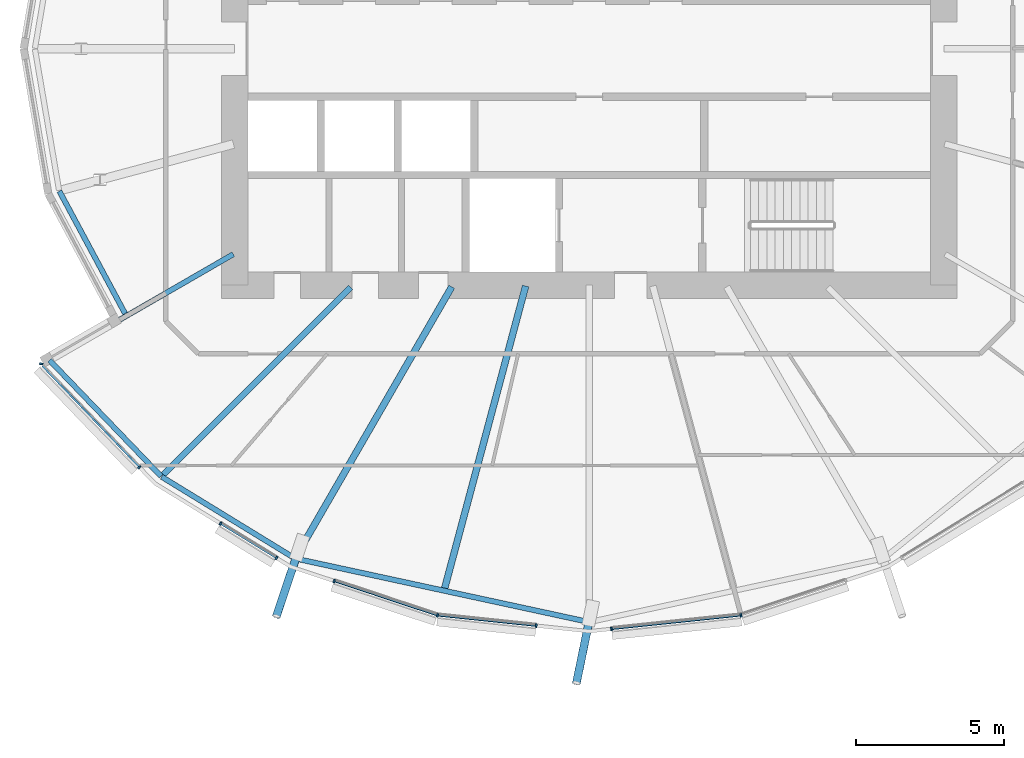
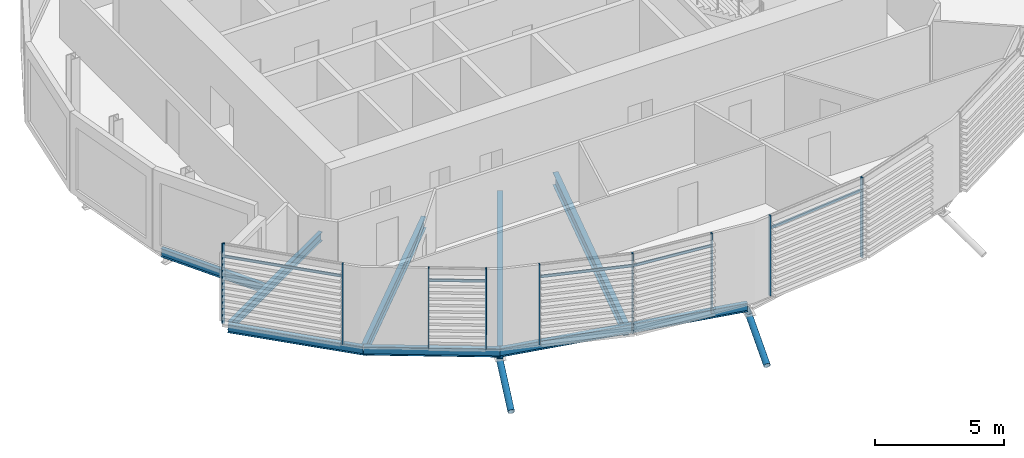
# One storey, part 3 of 36: 16 members, 8 beams, 1 element without a shape of its own.
"""IFC4 building model written with IfcOpenShell, lengths in metres."""

from ifc_helpers import new_model, si_unit, direction, frame, origin, origin_2d, place, context, subcontext, project, spatial, rectangle, hollow_circle, i_section, extrude, clip, halfspace, material, material_profile, profile_set, type_object, element, aggregate, save


model = new_model("IFC4")

# Units and contexts
model_context = context("Model", 3, precision=1e-05, world=origin(), true_north=direction((0.0, 1.0)))
body_context = subcontext(model_context, "Body", "Model", "MODEL_VIEW")
ifc_project = project(units=[si_unit("LENGTHUNIT", "METRE"), si_unit("AREAUNIT", "SQUARE_METRE"), si_unit("VOLUMEUNIT", "CUBIC_METRE"), si_unit("PLANEANGLEUNIT", "RADIAN"), si_unit("MASSUNIT", "GRAM", prefix="KILO")], contexts=[model_context])

# Site, building, storey
site_placement = place(None, origin())
site = spatial("IfcSite", under=ifc_project, at=site_placement, CompositionType="ELEMENT")
building_placement = place(site_placement, origin())
building = spatial("IfcBuilding", under=site, at=building_placement, Name="Rimbun Link Towers", CompositionType="ELEMENT")
storey_placement = place(building_placement, frame((0.0, 0.0, 33.800048828125)))
storey = spatial("IfcBuildingStorey", under=building, at=storey_placement, Name="L07", CompositionType="ELEMENT", Elevation=33.800048828125)

# Curtain wall, members
ifc_material_1 = material(Name="Aluminium 6063-T6 and low-iron glass", Category="aluminium")
curtain_wall_type = type_object("IfcCurtainWallType", Name="CW1 unitised vision wall", PredefinedType="NOTDEFINED", material=ifc_material_1)
curtain_wall_placement = place(storey_placement, origin())
curtain_wall = element("IfcCurtainWall", 1, at=curtain_wall_placement, inside=storey, type_object=curtain_wall_type, Name="CW1 L07 T1", PredefinedType="NOTDEFINED")
ifc_material_2 = material(Name="Aluminium 6063-T6", Category="aluminium")
ifc_material_profile_1 = material_profile(ifc_material_2, rectangle(XDim=0.1201171875, YDim=0.06005859375, at=origin_2d()), Name="MULLION 60X120")
ifc_profile_set_1 = profile_set([ifc_material_profile_1], Name="Aluminium 6063-T6")
member_type_1 = type_object("IfcMemberType", Name="CW1 mullion 60X120", PredefinedType="MULLION", material=ifc_profile_set_1)
member_1_placement = place(storey_placement, frame((-46.97314453125, -14.160888671875, 0.0), z_axis=(0.0, 0.0, 1.0), x_axis=(-0.721844292424, -0.692055501744, 0.0)))
member_1 = element("IfcMember", 2, at=member_1_placement, type_object=member_type_1, Name="CW1 mullion", PredefinedType="MULLION", context=body_context, shape_type="SweptSolid", body=[
    extrude(rectangle(XDim=0.1201171875, YDim=0.06005859375, at=origin_2d()), origin(), (0.0, 0.0, 1.0), 3.800048828125),
])
member_2_placement = place(storey_placement, frame((-50.294189453125, -10.663818359375, 0.0), z_axis=(0.0, 0.0, 1.0), x_axis=(-0.990014819321, 0.140963319788, 0.0)))
member_2 = element("IfcMember", 3, at=member_2_placement, type_object=member_type_1, Name="CW1 mullion", PredefinedType="MULLION", context=body_context, shape_type="SweptSolid", body=[
    extrude(rectangle(XDim=0.1201171875, YDim=0.06005859375, at=origin_2d()), origin(), (0.0, 0.0, 1.0), 3.800048828125),
])
member_3_placement = place(storey_placement, frame((-42.336181640625, -17.23291015625, 0.0), z_axis=(0.0, 0.0, 1.0), x_axis=(-0.523232417417, -0.85219002421, 0.0)))
member_3 = element("IfcMember", 4, at=member_3_placement, type_object=member_type_1, Name="CW1 mullion", PredefinedType="MULLION", context=body_context, shape_type="SweptSolid", body=[
    extrude(rectangle(XDim=0.1201171875, YDim=0.06005859375, at=origin_2d()), origin(), (0.0, 0.0, 1.0), 3.800048828125),
])
member_4_placement = place(storey_placement, frame((-44.2265625, -16.072265625, 0.0), z_axis=(0.0, 0.0, 1.0), x_axis=(-0.523232417417, -0.85219002421, 0.0)))
member_4 = element("IfcMember", 5, at=member_4_placement, type_object=member_type_1, Name="CW1 mullion", PredefinedType="MULLION", context=body_context, shape_type="SweptSolid", body=[
    extrude(rectangle(XDim=0.1201171875, YDim=0.06005859375, at=origin_2d()), origin(), (0.0, 0.0, 1.0), 3.800048828125),
])
member_5_placement = place(storey_placement, frame((-36.884521484375, -19.17333984375, 0.0), z_axis=(0.0, 0.0, 1.0), x_axis=(-0.210876994137, -0.97751260521, 0.0)))
member_5 = element("IfcMember", 6, at=member_5_placement, type_object=member_type_1, Name="CW1 mullion", PredefinedType="MULLION", context=body_context, shape_type="SweptSolid", body=[
    extrude(rectangle(XDim=0.1201171875, YDim=0.06005859375, at=origin_2d()), origin(), (0.0, 0.0, 1.0), 3.800048828125),
])
member_6_placement = place(storey_placement, frame((-40.383544921875, -18.01416015625, 0.0), z_axis=(0.0, 0.0, 1.0), x_axis=(-0.314563730837, -0.949236355837, 0.0)))
member_6 = element("IfcMember", 7, at=member_6_placement, type_object=member_type_1, Name="CW1 mullion", PredefinedType="MULLION", context=body_context, shape_type="SweptSolid", body=[
    extrude(rectangle(XDim=0.1201171875, YDim=0.06005859375, at=origin_2d()), origin(), (0.0, 0.0, 1.0), 3.800048828125),
])
member_7_placement = place(storey_placement, frame((-33.54638671875, -19.525390625, 0.0), z_axis=(0.0, 0.0, 1.0), x_axis=(-0.104754525743, -0.994498109267, 0.0)))
member_7 = element("IfcMember", 8, at=member_7_placement, type_object=member_type_1, Name="CW1 mullion", PredefinedType="MULLION", context=body_context, shape_type="SweptSolid", body=[
    extrude(rectangle(XDim=0.1201171875, YDim=0.06005859375, at=origin_2d()), origin(), (0.0, 0.0, 1.0), 3.800048828125),
])
member_8_placement = place(storey_placement, frame((-26.615478515625, -19.17333984375, 0.0), z_axis=(0.0, 0.0, 1.0), x_axis=(0.210876994137, -0.97751260521, 0.0)))
member_8 = element("IfcMember", 9, at=member_8_placement, type_object=member_type_1, Name="CW1 mullion", PredefinedType="MULLION", context=body_context, shape_type="SweptSolid", body=[
    extrude(rectangle(XDim=0.1201171875, YDim=0.06005859375, at=origin_2d()), origin(), (0.0, 0.0, 1.0), 3.800048828125),
])
member_9_placement = place(storey_placement, frame((-30.997802734375, -19.63525390625, 0.0), z_axis=(0.0, 0.0, 1.0), x_axis=(0.104754525743, -0.994498109267, 0.0)))
member_9 = element("IfcMember", 10, at=member_9_placement, type_object=member_type_1, Name="CW1 mullion", PredefinedType="MULLION", context=body_context, shape_type="SweptSolid", body=[
    extrude(rectangle(XDim=0.1201171875, YDim=0.06005859375, at=origin_2d()), origin(), (0.0, 0.0, 1.0), 3.800048828125),
])
ifc_material_3 = material(Name="Aluminium 6063-T6", Category="aluminium")
ifc_material_profile_2 = material_profile(ifc_material_3, rectangle(XDim=0.06005859375, YDim=0.1201171875, at=origin_2d()), Name="TRANSOM 60X120")
ifc_profile_set_2 = profile_set([ifc_material_profile_2], Name="Aluminium 6063-T6")
member_type_2 = type_object("IfcMemberType", Name="CW1 transom 60X120", PredefinedType="USERDEFINED", material=ifc_profile_set_2)
member_10_placement = place(storey_placement, frame((-46.992431640625, -14.137939453125, 3.199951171875), z_axis=(-0.692039162609, 0.721859956928, 0.0), x_axis=(-0.721859956928, -0.692039162609, 0.0)))
member_10 = element("IfcMember", 11, at=member_10_placement, type_object=member_type_2, Name="CW1 transom", ObjectType="TRANSOM", PredefinedType="USERDEFINED", context=body_context, shape_type="SweptSolid", body=[
    extrude(rectangle(XDim=0.06005859375, YDim=0.1201171875, at=origin_2d()), origin(), (0.0, 0.0, 1.0), 4.715576171875),
])
member_11_placement = place(storey_placement, frame((-42.360595703125, -17.215576171875, 3.199951171875), z_axis=(-0.852228740187, 0.523169355371, 0.0), x_axis=(-0.523169355371, -0.852228740187, 0.0)))
member_11 = element("IfcMember", 12, at=member_11_placement, type_object=member_type_2, Name="CW1 transom", ObjectType="TRANSOM", PredefinedType="USERDEFINED", context=body_context, shape_type="SweptSolid", body=[
    extrude(rectangle(XDim=0.06005859375, YDim=0.1201171875, at=origin_2d()), origin(), (0.0, 0.0, 1.0), 2.158203125),
])
member_12_placement = place(storey_placement, frame((-36.91845703125, -19.160400390625, 3.199951171875), z_axis=(-0.949234904312, 0.314568110964, 0.0), x_axis=(-0.314568110964, -0.949234904312, 0.0)))
member_12 = element("IfcMember", 13, at=member_12_placement, type_object=member_type_2, Name="CW1 transom", ObjectType="TRANSOM", PredefinedType="USERDEFINED", context=body_context, shape_type="SweptSolid", body=[
    extrude(rectangle(XDim=0.06005859375, YDim=0.1201171875, at=origin_2d()), origin(), (0.0, 0.0, 1.0), 3.619873046875),
])
member_13_placement = place(storey_placement, frame((-33.575927734375, -19.520263671875, 3.199951171875), z_axis=(-0.994496504688, 0.104769757862, 0.0), x_axis=(-0.104769757862, -0.994496504688, 0.0)))
member_13 = element("IfcMember", 14, at=member_13_placement, type_object=member_type_2, Name="CW1 transom", ObjectType="TRANSOM", PredefinedType="USERDEFINED", context=body_context, shape_type="SweptSolid", body=[
    extrude(rectangle(XDim=0.06005859375, YDim=0.1201171875, at=origin_2d()), origin(), (0.0, 0.0, 1.0), 3.290283203125),
])
member_14_placement = place(storey_placement, frame((-26.65185546875, -19.175537109375, 3.199951171875), z_axis=(-0.99449990358, -0.104737489845, 0.0), x_axis=(0.104737489845, -0.99449990358, 0.0)))
member_14 = element("IfcMember", 15, at=member_14_placement, type_object=member_type_2, Name="CW1 transom", ObjectType="TRANSOM", PredefinedType="USERDEFINED", context=body_context, shape_type="SweptSolid", body=[
    extrude(rectangle(XDim=0.06005859375, YDim=0.1201171875, at=origin_2d()), origin(), (0.0, 0.0, 1.0), 4.34033203125),
])
aggregate(curtain_wall, [member_1, member_2, member_3, member_4, member_5, member_6, member_7, member_8, member_9, member_10, member_11, member_12, member_13, member_14])

# Members
ifc_material_4 = material(Name="Steel S355J2H", Category="steel")
ifc_material_profile_3 = material_profile(ifc_material_4, hollow_circle(Radius=0.136474609375, WallThickness=0.012451171875, at=origin_2d()), Name="CHS 273x12.5")
ifc_profile_set_3 = profile_set([ifc_material_profile_3], Name="Steel S355J2H")
member_type_3 = type_object("IfcMemberType", Name="Floor edge link CHS 273x12.5", PredefinedType="BRACE", material=ifc_profile_set_3)
member_15_placement = place(storey_placement, frame((-41.638427734375, -17.127197265625, -0.888916015625), z_axis=(-0.295523788244, -0.877942932959, -0.376672134686), x_axis=(0.947747735275, -0.319020736444, 0.0)))
element("IfcMember", 16, at=member_15_placement, inside=storey, type_object=member_type_3, Name="Floor edge link T1 L07 16", PredefinedType="BRACE", context=body_context, shape_type="Clipping", body=[
    clip(extrude(hollow_circle(Radius=0.136474609375, WallThickness=0.012451171875, at=origin_2d()), frame((0.0, 0.0, -0.69775390625)), (0.0, 0.0, 1.0), 3.074462890625), halfspace(frame((0.0, 0.0, -0.329833984375), z_axis=(0.0, 0.926346642975, -0.376672134686)), False)),
])
member_16_placement = place(storey_placement, frame((-31.75, -19.352783203125, -0.888427734375), z_axis=(-0.185831038689, -0.904988825185, -0.382703607704), x_axis=(0.979561706575, -0.201143886341, 0.0)))
element("IfcMember", 17, at=member_16_placement, inside=storey, type_object=member_type_3, Name="Floor edge link T1 L07 18", PredefinedType="BRACE", context=body_context, shape_type="Clipping", body=[
    clip(extrude(hollow_circle(Radius=0.136474609375, WallThickness=0.012451171875, at=origin_2d()), frame((0.0, 0.0, -0.685302734375)), (0.0, 0.0, 1.0), 3.029052734375), halfspace(frame((0.0, 0.0, -0.323486328125), z_axis=(0.0, 0.923871175354, -0.382703607704)), False)),
])

# Beams
ifc_material_5 = material(Name="Steel S355J2", Category="steel")
ifc_material_profile_4 = material_profile(ifc_material_5, i_section(OverallWidth=0.177978515625, OverallDepth=0.406494140625, WebThickness=0.0078125, FlangeThickness=0.0126953125, at=origin_2d()), Name="UB 406x178x60")
ifc_profile_set_4 = profile_set([ifc_material_profile_4], Name="Steel S355J2")
beam_type_1 = type_object("IfcBeamType", Name="UB 406x178x60", PredefinedType="BEAM", material=ifc_profile_set_4)
beam_1_placement = place(storey_placement, frame((-43.79541015625, -6.954345703125, -0.36328125), z_axis=(-0.866012298914, -0.500022697614, 0.0), x_axis=(0.500022697614, -0.866012298914, 0.0)))
element("IfcBeam", 18, at=beam_1_placement, inside=storey, type_object=beam_type_1, Name="Radial beam T1 L07 14", PredefinedType="BEAM", context=body_context, shape_type="SweptSolid", body=[
    extrude(i_section(OverallWidth=0.177978515625, OverallDepth=0.406494140625, WebThickness=0.0078125, FlangeThickness=0.0126953125, at=origin_2d()), origin(), (0.0, 0.0, 1.0), 7.085693359375),
])
beam_2_placement = place(storey_placement, frame((-49.6806640625, -4.820068359375, -0.36328125), z_axis=(0.473157991419, -0.88097759061, 0.0), x_axis=(0.88097759061, 0.473157991419, 0.0)))
element("IfcBeam", 19, at=beam_2_placement, inside=storey, type_object=beam_type_1, Name="Edge beam T1 L07 13 recess", PredefinedType="BEAM", context=body_context, shape_type="SweptSolid", body=[
    extrude(i_section(OverallWidth=0.177978515625, OverallDepth=0.406494140625, WebThickness=0.0078125, FlangeThickness=0.0126953125, at=origin_2d()), origin(), (0.0, 0.0, 1.0), 4.70068359375),
])
beam_3_placement = place(storey_placement, frame((-50.01123046875, -10.544189453125, -0.36328125), z_axis=(0.692980582053, -0.720956248948, 0.0), x_axis=(0.720956248948, 0.692980582053, 0.0)))
element("IfcBeam", 20, at=beam_3_placement, inside=storey, type_object=beam_type_1, Name="Edge beam T1 L07 14", PredefinedType="BEAM", context=body_context, shape_type="SweptSolid", body=[
    extrude(i_section(OverallWidth=0.177978515625, OverallDepth=0.406494140625, WebThickness=0.0078125, FlangeThickness=0.0126953125, at=origin_2d()), origin(), (0.0, 0.0, 1.0), 5.445556640625),
])
beam_4_placement = place(storey_placement, frame((-46.218505859375, -14.485595703125, -0.36328125), z_axis=(0.852710715243, -0.522383418678, 0.0), x_axis=(0.522383418678, 0.852710715243, 0.0)))
element("IfcBeam", 21, at=beam_4_placement, inside=storey, type_object=beam_type_1, Name="Edge beam T1 L07 15", PredefinedType="BEAM", context=body_context, shape_type="SweptSolid", body=[
    extrude(i_section(OverallWidth=0.177978515625, OverallDepth=0.406494140625, WebThickness=0.0078125, FlangeThickness=0.0126953125, at=origin_2d()), origin(), (0.0, 0.0, 1.0), 5.2880859375),
])
beam_5_placement = place(storey_placement, frame((-41.70751953125, -17.248779296875, -0.36328125), z_axis=(0.977393994872, -0.211426059859, 0.0), x_axis=(0.211426059859, 0.977393994872, 0.0)))
element("IfcBeam", 22, at=beam_5_placement, inside=storey, type_object=beam_type_1, Name="Edge beam T1 L07 16-18", PredefinedType="BEAM", context=body_context, shape_type="SweptSolid", body=[
    extrude(i_section(OverallWidth=0.177978515625, OverallDepth=0.406494140625, WebThickness=0.0078125, FlangeThickness=0.0126953125, at=origin_2d()), origin(), (0.0, 0.0, 1.0), 10.0703125),
])
ifc_material_6 = material(Name="Steel S355J2", Category="steel")
ifc_material_profile_5 = material_profile(ifc_material_6, i_section(OverallWidth=0.209228515625, OverallDepth=0.533203125, WebThickness=0.010009765625, FlangeThickness=0.015625, at=origin_2d()), Name="UB 533x210x92")
ifc_profile_set_5 = profile_set([ifc_material_profile_5], Name="Steel S355J2")
beam_type_2 = type_object("IfcBeamType", Name="UB 533x210x92", PredefinedType="BEAM", material=ifc_profile_set_5)
beam_6_placement = place(storey_placement, frame((-39.82470703125, -8.07470703125, -0.4267578125), z_axis=(-0.707106781187, -0.707106781187, 0.0), x_axis=(0.707106781187, -0.707106781187, 0.0)))
element("IfcBeam", 23, at=beam_6_placement, inside=storey, type_object=beam_type_2, Name="Radial beam T1 L07 15", PredefinedType="BEAM", context=body_context, shape_type="SweptSolid", body=[
    extrude(i_section(OverallWidth=0.209228515625, OverallDepth=0.533203125, WebThickness=0.010009765625, FlangeThickness=0.015625, at=origin_2d()), origin(), (0.0, 0.0, 1.0), 8.966552734375),
])
ifc_material_7 = material(Name="Steel S355J2", Category="steel")
ifc_material_profile_6 = material_profile(ifc_material_7, i_section(OverallWidth=0.2275390625, OverallDepth=0.6025390625, WebThickness=0.010498046875, FlangeThickness=0.014892578125, at=origin_2d()), Name="UB 610x229x101")
ifc_profile_set_6 = profile_set([ifc_material_profile_6], Name="Steel S355J2")
beam_type_3 = type_object("IfcBeamType", Name="UB 610x229x101", PredefinedType="BEAM", material=ifc_profile_set_6)
beam_7_placement = place(storey_placement, frame((-36.402099609375, -8.057861328125, -0.46142578125), z_axis=(-0.500014335853, -0.866017126818, 0.0), x_axis=(0.866017126818, -0.500014335853, 0.0)))
element("IfcBeam", 24, at=beam_7_placement, inside=storey, type_object=beam_type_3, Name="Radial beam T1 L07 16", PredefinedType="BEAM", context=body_context, shape_type="SweptSolid", body=[
    extrude(i_section(OverallWidth=0.2275390625, OverallDepth=0.6025390625, WebThickness=0.010498046875, FlangeThickness=0.014892578125, at=origin_2d()), origin(), (0.0, 0.0, 1.0), 10.522705078125),
])
beam_8_placement = place(storey_placement, frame((-33.901611328125, -8.030517578125, -0.46142578125), z_axis=(-0.258839865624, -0.965920247207, 0.0), x_axis=(0.965920247207, -0.258839865624, 0.0)))
element("IfcBeam", 25, at=beam_8_placement, inside=storey, type_object=beam_type_3, Name="Radial beam T1 L07 17", PredefinedType="BEAM", context=body_context, shape_type="SweptSolid", body=[
    extrude(i_section(OverallWidth=0.2275390625, OverallDepth=0.6025390625, WebThickness=0.010498046875, FlangeThickness=0.014892578125, at=origin_2d()), origin(), (0.0, 0.0, 1.0), 10.582763671875),
])

save(model, "model.ifc")
